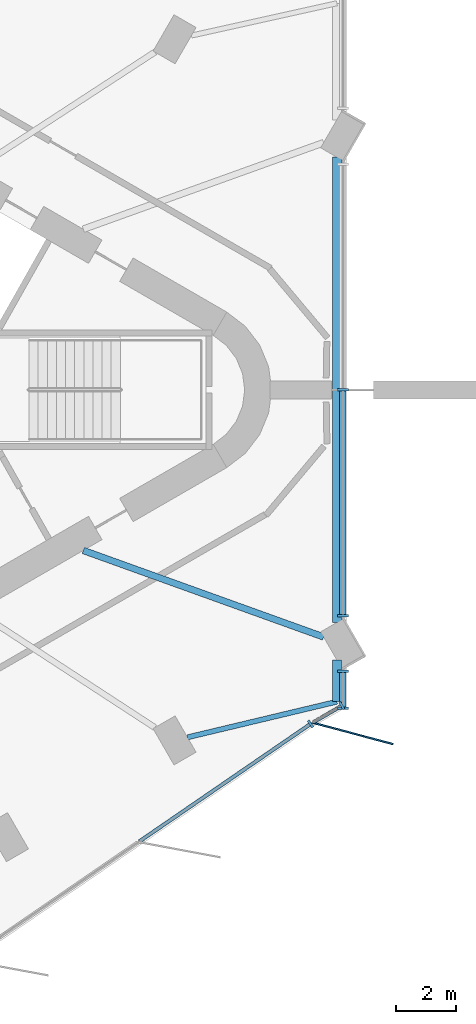
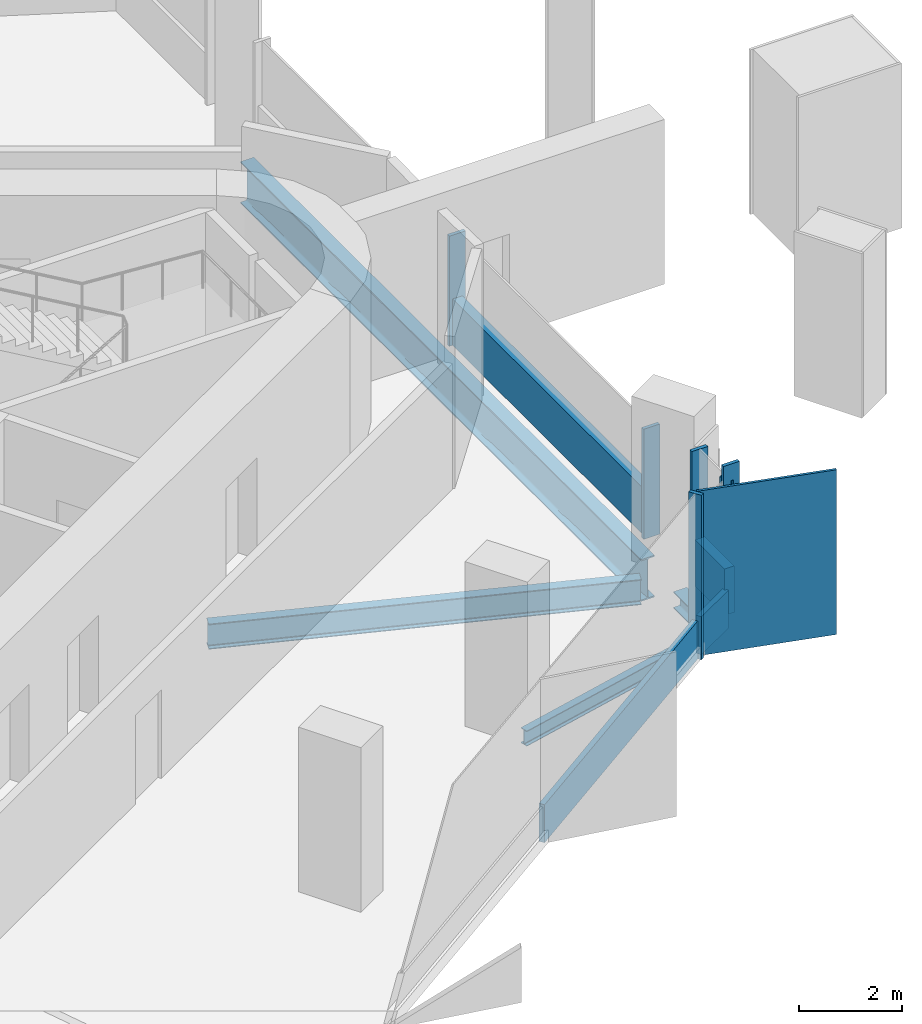
# One storey, part 3 of 12: 11 members, 4 beams, 4 elements without a shape of their own.
"""IFC4 building model written with IfcOpenShell, lengths in metres."""

from ifc_helpers import new_model, si_unit, direction, frame, origin, origin_2d, place, context, subcontext, project, spatial, rectangle, i_section, extrude, material, material_profile, profile_set, type_object, element, aggregate, save


model = new_model("IFC4")

# Units and contexts
model_context = context("Model", 3, precision=1e-05, world=origin(), true_north=direction((0.0, 1.0)))
body_context = subcontext(model_context, "Body", "Model", "MODEL_VIEW")
ifc_project = project(units=[si_unit("LENGTHUNIT", "METRE"), si_unit("AREAUNIT", "SQUARE_METRE"), si_unit("VOLUMEUNIT", "CUBIC_METRE"), si_unit("PLANEANGLEUNIT", "RADIAN"), si_unit("MASSUNIT", "GRAM", prefix="KILO")], contexts=[model_context])

# Site, building, storey
site_placement = place(None, origin())
site = spatial("IfcSite", under=ifc_project, at=site_placement, CompositionType="ELEMENT")
building_placement = place(site_placement, origin())
building = spatial("IfcBuilding", under=site, at=building_placement, Name="Tanit Gate Tower", CompositionType="ELEMENT")
storey_placement = place(building_placement, frame((0.0, 0.0, 372.800048828125)))
storey = spatial("IfcBuildingStorey", under=building, at=storey_placement, Name="L85", CompositionType="ELEMENT", Elevation=372.800048828125)

# Beams
ifc_material_1 = material(Name="Steel S355", Category="steel")
ifc_material_profile_1 = material_profile(ifc_material_1, i_section(OverallWidth=0.300048828125, OverallDepth=0.989990234375, WebThickness=0.0166015625, FlangeThickness=0.031005859375, FilletRadius=0.030029296875, at=origin_2d()), Name="HEA 1000")
ifc_profile_set_1 = profile_set([ifc_material_profile_1], Name="Steel S355")
beam_type_1 = type_object("IfcBeamType", Name="EDGE BEAM HEA 1000 S355", PredefinedType="BEAM", material=ifc_profile_set_1)
beam_1_placement = place(storey_placement, frame((23.3798828125, 7.7734375, -0.795166015625), z_axis=(0.0, -1.0, 0.0), x_axis=(1.0, 0.0, 0.0)))
element("IfcBeam", 1, at=beam_1_placement, inside=storey, type_object=beam_type_1, Name="EDGE BEAM", PredefinedType="BEAM", context=body_context, shape_type="SweptSolid", body=[
    extrude(i_section(OverallWidth=0.300048828125, OverallDepth=0.989990234375, WebThickness=0.0166015625, FlangeThickness=0.031005859375, FilletRadius=0.030029296875, at=origin_2d()), origin(), (0.0, 0.0, 1.0), 15.546875),
])
ifc_material_2 = material(Name="Steel S355", Category="steel")
ifc_material_profile_2 = material_profile(ifc_material_2, i_section(OverallWidth=0.300048828125, OverallDepth=0.389892578125, WebThickness=0.010986328125, FlangeThickness=0.01904296875, FilletRadius=0.027099609375, at=origin_2d()), Name="HEA 400")
ifc_profile_set_2 = profile_set([ifc_material_profile_2], Name="Steel S355")
beam_type_2 = type_object("IfcBeamType", Name="EDGE BEAM HEA 400 S355", PredefinedType="BEAM", material=ifc_profile_set_2)
beam_2_placement = place(storey_placement, frame((23.3798828125, -9.02197265625, -0.4951171875), z_axis=(0.0, -1.0, 0.0), x_axis=(1.0, 0.0, 0.0)))
element("IfcBeam", 2, at=beam_2_placement, inside=storey, type_object=beam_type_2, Name="EDGE BEAM", PredefinedType="BEAM", context=body_context, shape_type="SweptSolid", body=[
    extrude(i_section(OverallWidth=0.300048828125, OverallDepth=0.389892578125, WebThickness=0.010986328125, FlangeThickness=0.01904296875, FilletRadius=0.027099609375, at=origin_2d()), origin(), (0.0, 0.0, 1.0), 1.394775390625),
])

# Curtain wall, member
ifc_material_3 = material(Name="Aluminium bronze anodised and glass", Category="aluminium")
curtain_wall_type_1 = type_object("IfcCurtainWallType", Name="Curtain wall typical high", PredefinedType="NOTDEFINED", material=ifc_material_3)
curtain_wall_1_placement = place(storey_placement, origin())
curtain_wall_1 = element("IfcCurtainWall", 3, at=curtain_wall_1_placement, inside=storey, type_object=curtain_wall_type_1, Name="Curtain wall L85 SE3c", PredefinedType="NOTDEFINED")
ifc_material_4 = material(Name="Aluminium bronze anodised", Category="aluminium")
ifc_material_profile_3 = material_profile(ifc_material_4, rectangle(XDim=2.800048828125, YDim=0.055908203125, at=origin_2d()), Name="56x2800 bronze fin mullion")
ifc_profile_set_3 = profile_set([ifc_material_profile_3], Name="Aluminium bronze anodised")
member_type_1 = type_object("IfcMemberType", Name="FIN MULLION 56x2800 bronze", PredefinedType="MULLION", material=ifc_profile_set_3)
member_1_placement = place(storey_placement, frame((23.90185546875, -11.473388671875, -0.300048828125), z_axis=(0.0, 0.0, 1.0), x_axis=(-0.966279959812, 0.257493765489, 0.0)))
member_1 = element("IfcMember", 4, at=member_1_placement, type_object=member_type_1, Name="Fin mullion L85 SE3c.1", PredefinedType="MULLION", context=body_context, shape_type="SweptSolid", body=[
    extrude(rectangle(XDim=2.800048828125, YDim=0.055908203125, at=origin_2d()), origin(), (0.0, 0.0, 1.0), 3.89990234375),
])

curtain_wall_2_placement = place(storey_placement, origin())
curtain_wall_2 = element("IfcCurtainWall", 5, at=curtain_wall_2_placement, inside=storey, type_object=curtain_wall_type_1, Name="Curtain wall L85 SE2", PredefinedType="NOTDEFINED")
ifc_material_5 = material(Name="Aluminium bronze anodised", Category="aluminium")
ifc_material_profile_4 = material_profile(ifc_material_5, rectangle(XDim=0.280029296875, YDim=0.080078125, at=origin_2d()), Name="80x280 bronze mullion")
ifc_profile_set_4 = profile_set([ifc_material_profile_4], Name="Aluminium bronze anodised")
member_type_2 = type_object("IfcMemberType", Name="Mullion 80x280 typical high", PredefinedType="MULLION", material=ifc_profile_set_4)
member_2_placement = place(storey_placement, frame((22.50048828125, -11.16064453125, -0.300048828125), z_axis=(0.0, 0.0, 1.0), x_axis=(-0.565779513784, 0.824556572821, 0.0)))
member_2 = element("IfcMember", 6, at=member_2_placement, type_object=member_type_2, Name="Mullion L85 SE2.5", PredefinedType="MULLION", context=body_context, shape_type="SweptSolid", body=[
    extrude(rectangle(XDim=0.280029296875, YDim=0.080078125, at=origin_2d()), origin(), (0.0, 0.0, 1.0), 3.89990234375),
])

# Member
member_3_placement = place(storey_placement, frame((23.5458984375, -10.5517578125, -0.300048828125), z_axis=(0.0, 0.0, 1.0), x_axis=(-0.501187524417, 0.865338699798, 0.0)))
member_3 = element("IfcMember", 7, at=member_3_placement, type_object=member_type_2, Name="Mullion L85 SE3c.2", PredefinedType="MULLION", context=body_context, shape_type="SweptSolid", body=[
    extrude(rectangle(XDim=0.280029296875, YDim=0.080078125, at=origin_2d()), origin(), (0.0, 0.0, 1.0), 3.510009765625),
])

# Curtain wall, members
ifc_material_6 = material(Name="Aluminium bronze anodised and glass", Category="aluminium")
curtain_wall_type_2 = type_object("IfcCurtainWallType", Name="Curtain wall portal glazing", PredefinedType="NOTDEFINED", material=ifc_material_6)
curtain_wall_3_placement = place(storey_placement, origin())
curtain_wall_3 = element("IfcCurtainWall", 8, at=curtain_wall_3_placement, inside=storey, type_object=curtain_wall_type_2, Name="Curtain wall L85 NOTCH2", PredefinedType="NOTDEFINED")
ifc_material_7 = material(Name="Aluminium bronze anodised", Category="aluminium")
ifc_material_profile_5 = material_profile(ifc_material_7, rectangle(XDim=0.360107421875, YDim=0.080078125, at=origin_2d()), Name="80x360 bronze mullion")
ifc_profile_set_5 = profile_set([ifc_material_profile_5], Name="Aluminium bronze anodised")
member_type_3 = type_object("IfcMemberType", Name="Mullion 80x360 portal glazing", PredefinedType="MULLION", material=ifc_profile_set_5)
member_4_placement = place(storey_placement, frame((23.580078125, 0.0, 0.0), z_axis=(0.0, 0.0, 1.0), x_axis=(1.0, 0.0, 0.0)))
member_4 = element("IfcMember", 9, at=member_4_placement, type_object=member_type_3, Name="Mullion L85 NOTCH2.2", PredefinedType="MULLION", context=body_context, shape_type="SweptSolid", body=[
    extrude(rectangle(XDim=0.360107421875, YDim=0.080078125, at=origin_2d()), origin(), (0.0, 0.0, 1.0), 2.60986328125),
])
member_5_placement = place(storey_placement, frame((23.580078125, -7.540283203125, 0.0), z_axis=(0.0, 0.0, 1.0), x_axis=(1.0, 0.0, 0.0)))
member_5 = element("IfcMember", 10, at=member_5_placement, type_object=member_type_3, Name="Mullion L85 NOTCH2.3", PredefinedType="MULLION", context=body_context, shape_type="SweptSolid", body=[
    extrude(rectangle(XDim=0.360107421875, YDim=0.080078125, at=origin_2d()), origin(), (0.0, 0.0, 1.0), 2.60986328125),
])

curtain_wall_4_placement = place(storey_placement, origin())
curtain_wall_4 = element("IfcCurtainWall", 11, at=curtain_wall_4_placement, inside=storey, type_object=curtain_wall_type_2, Name="Curtain wall L85 NOTCH3", PredefinedType="NOTDEFINED")
member_6_placement = place(storey_placement, frame((23.580078125, -9.404541015625, 0.0), z_axis=(0.0, 0.0, 1.0), x_axis=(1.0, 0.0, 0.0)))
member_6 = element("IfcMember", 12, at=member_6_placement, type_object=member_type_3, Name="Mullion L85 NOTCH3.1", PredefinedType="MULLION", context=body_context, shape_type="SweptSolid", body=[
    extrude(rectangle(XDim=0.360107421875, YDim=0.080078125, at=origin_2d()), origin(), (0.0, 0.0, 1.0), 3.2099609375),
])
member_7_placement = place(storey_placement, frame((23.580078125, -10.630126953125, 0.0), z_axis=(0.0, 0.0, 1.0), x_axis=(1.0, 0.0, 0.0)))
member_7 = element("IfcMember", 13, at=member_7_placement, type_object=member_type_3, Name="Mullion L85 NOTCH3.2", PredefinedType="MULLION", context=body_context, shape_type="SweptSolid", body=[
    extrude(rectangle(XDim=0.360107421875, YDim=0.080078125, at=origin_2d()), origin(), (0.0, 0.0, 1.0), 3.599853515625),
])

# Beams
ifc_material_8 = material(Name="Steel S355", Category="steel")
ifc_material_profile_6 = material_profile(ifc_material_8, i_section(OverallWidth=0.219970703125, OverallDepth=0.60009765625, WebThickness=0.011962890625, FlangeThickness=0.01904296875, FilletRadius=0.02392578125, at=origin_2d()), Name="IPE 600")
ifc_profile_set_6 = profile_set([ifc_material_profile_6], Name="Steel S355")
beam_type_3 = type_object("IfcBeamType", Name="RADIAL GIRDER IPE 600 S355", PredefinedType="BEAM", material=ifc_profile_set_6)
beam_3_placement = place(storey_placement, frame((22.935302734375, -8.255615234375, -0.60009765625), z_axis=(-0.940899815791, 0.338685010952, 0.0), x_axis=(-0.338685010952, -0.940899815791, 0.0)))
element("IfcBeam", 14, at=beam_3_placement, inside=storey, type_object=beam_type_3, Name="RADIAL GIRDER", PredefinedType="BEAM", context=body_context, shape_type="SweptSolid", body=[
    extrude(i_section(OverallWidth=0.219970703125, OverallDepth=0.60009765625, WebThickness=0.011962890625, FlangeThickness=0.01904296875, FilletRadius=0.02392578125, at=origin_2d()), origin(), (0.0, 0.0, 1.0), 8.530517578125),
])
ifc_material_9 = material(Name="Steel S355", Category="steel")
ifc_material_profile_7 = material_profile(ifc_material_9, i_section(OverallWidth=0.169921875, OverallDepth=0.360107421875, WebThickness=0.008056640625, FlangeThickness=0.0126953125, FilletRadius=0.01806640625, at=origin_2d()), Name="IPE 360")
ifc_profile_set_7 = profile_set([ifc_material_profile_7], Name="Steel S355")
beam_type_4 = type_object("IfcBeamType", Name="RING BEAM IPE 360 S355", PredefinedType="BEAM", material=ifc_profile_set_7)
beam_4_placement = place(storey_placement, frame((23.3798828125, -10.416748046875, -0.47998046875), z_axis=(-0.972710676559, -0.232021420795, 0.0), x_axis=(0.232021420795, -0.972710676559, 0.0)))
element("IfcBeam", 15, at=beam_4_placement, inside=storey, type_object=beam_type_4, Name="RING BEAM", PredefinedType="BEAM", context=body_context, shape_type="SweptSolid", body=[
    extrude(i_section(OverallWidth=0.169921875, OverallDepth=0.360107421875, WebThickness=0.008056640625, FlangeThickness=0.0126953125, FilletRadius=0.01806640625, at=origin_2d()), origin(), (0.0, 0.0, 1.0), 5.1318359375),
])

# Member
ifc_material_10 = material(Name="Aluminium bronze anodised", Category="aluminium")
ifc_material_profile_8 = material_profile(ifc_material_10, rectangle(XDim=0.1201171875, YDim=0.89990234375, at=origin_2d()), Name="120x900 bronze transom")
ifc_profile_set_8 = profile_set([ifc_material_profile_8], Name="Aluminium bronze anodised")
member_type_4 = type_object("IfcMemberType", Name="Transom 120x900 typical high", PredefinedType="USERDEFINED", material=ifc_profile_set_8)
member_8_placement = place(storey_placement, frame((16.7841796875, -15.083251953125, 0.14990234375), z_axis=(0.824542837355, 0.565799531076, 0.0), x_axis=(-0.565799531076, 0.824542837355, 0.0)))
member_8 = element("IfcMember", 16, at=member_8_placement, type_object=member_type_4, Name="Transom L85 SE2.4", ObjectType="TRANSOM", PredefinedType="USERDEFINED", context=body_context, shape_type="SweptSolid", body=[
    extrude(rectangle(XDim=0.1201171875, YDim=0.89990234375, at=origin_2d()), origin(), (0.0, 0.0, 1.0), 6.892822265625),
])

aggregate(curtain_wall_2, [member_2, member_8])

member_9_placement = place(storey_placement, frame((22.602783203125, -11.09814453125, 0.14990234375), z_axis=(0.865251110065, 0.501338724348, 0.0), x_axis=(-0.501338724348, 0.865251110065, 0.0)))
member_9 = element("IfcMember", 17, at=member_9_placement, type_object=member_type_4, Name="Transom L85 SE3c.1", ObjectType="TRANSOM", PredefinedType="USERDEFINED", context=body_context, shape_type="SweptSolid", body=[
    extrude(rectangle(XDim=0.1201171875, YDim=0.89990234375, at=origin_2d()), origin(), (0.0, 0.0, 1.0), 1.0498046875),
])

aggregate(curtain_wall_1, [member_1, member_3, member_9])

ifc_material_11 = material(Name="Aluminium bronze anodised", Category="aluminium")
ifc_material_profile_9 = material_profile(ifc_material_11, rectangle(XDim=0.219970703125, YDim=1.10009765625, at=origin_2d()), Name="220x1100 bronze transom")
ifc_profile_set_9 = profile_set([ifc_material_profile_9], Name="Aluminium bronze anodised")
member_type_5 = type_object("IfcMemberType", Name="Transom 220x1100 portal glazing", PredefinedType="USERDEFINED", material=ifc_profile_set_9)
member_10_placement = place(storey_placement, frame((23.580078125, -0.0400390625, 0.550048828125), z_axis=(0.0, -1.0, 0.0), x_axis=(1.0, 0.0, 0.0)))
member_10 = element("IfcMember", 18, at=member_10_placement, type_object=member_type_5, Name="Transom L85 NOTCH2.2", ObjectType="TRANSOM", PredefinedType="USERDEFINED", context=body_context, shape_type="SweptSolid", body=[
    extrude(rectangle(XDim=0.219970703125, YDim=1.10009765625, at=origin_2d()), origin(), (0.0, 0.0, 1.0), 7.460205078125),
])

aggregate(curtain_wall_3, [member_4, member_5, member_10])

member_11_placement = place(storey_placement, frame((23.580078125, -9.444580078125, 0.550048828125), z_axis=(0.0, -1.0, 0.0), x_axis=(1.0, 0.0, 0.0)))
member_11 = element("IfcMember", 19, at=member_11_placement, type_object=member_type_5, Name="Transom L85 NOTCH3.1", ObjectType="TRANSOM", PredefinedType="USERDEFINED", context=body_context, shape_type="SweptSolid", body=[
    extrude(rectangle(XDim=0.219970703125, YDim=1.10009765625, at=origin_2d()), origin(), (0.0, 0.0, 1.0), 1.1455078125),
])

aggregate(curtain_wall_4, [member_6, member_7, member_11])

save(model, "model.ifc")
